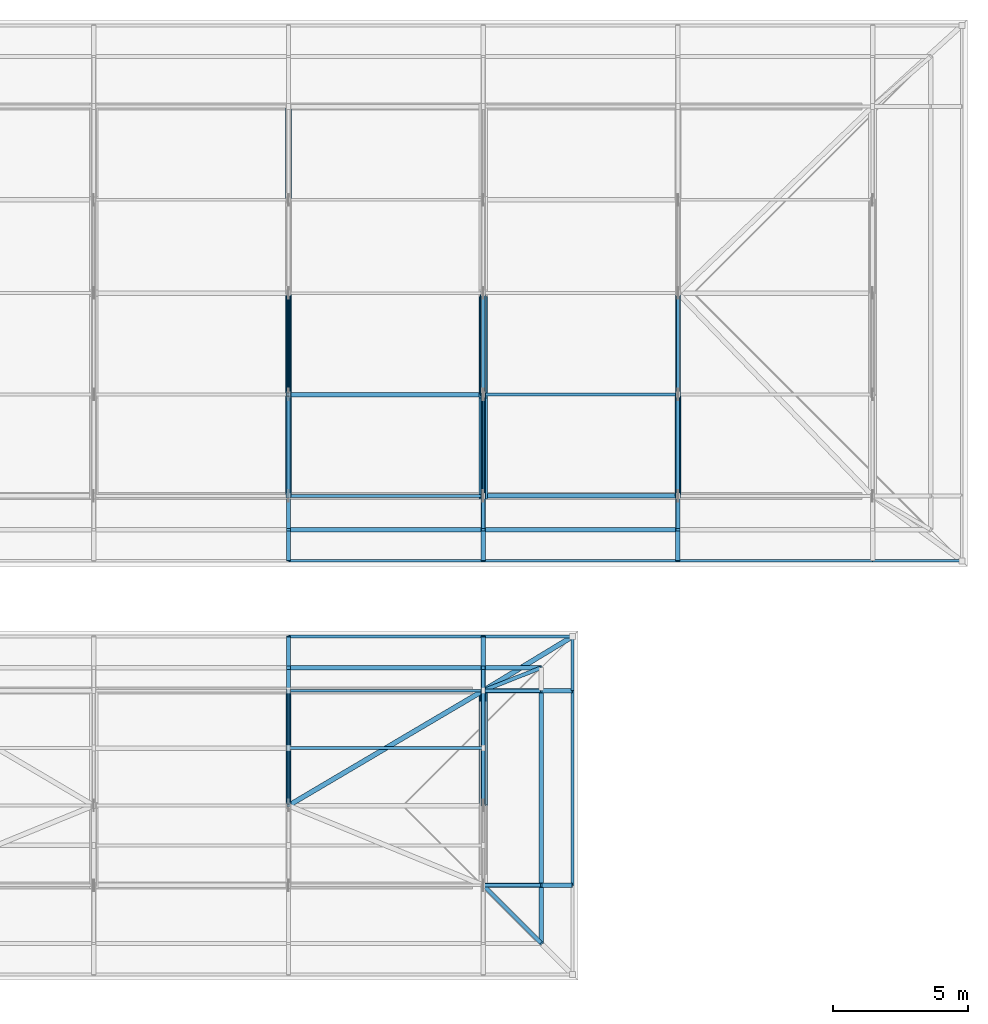
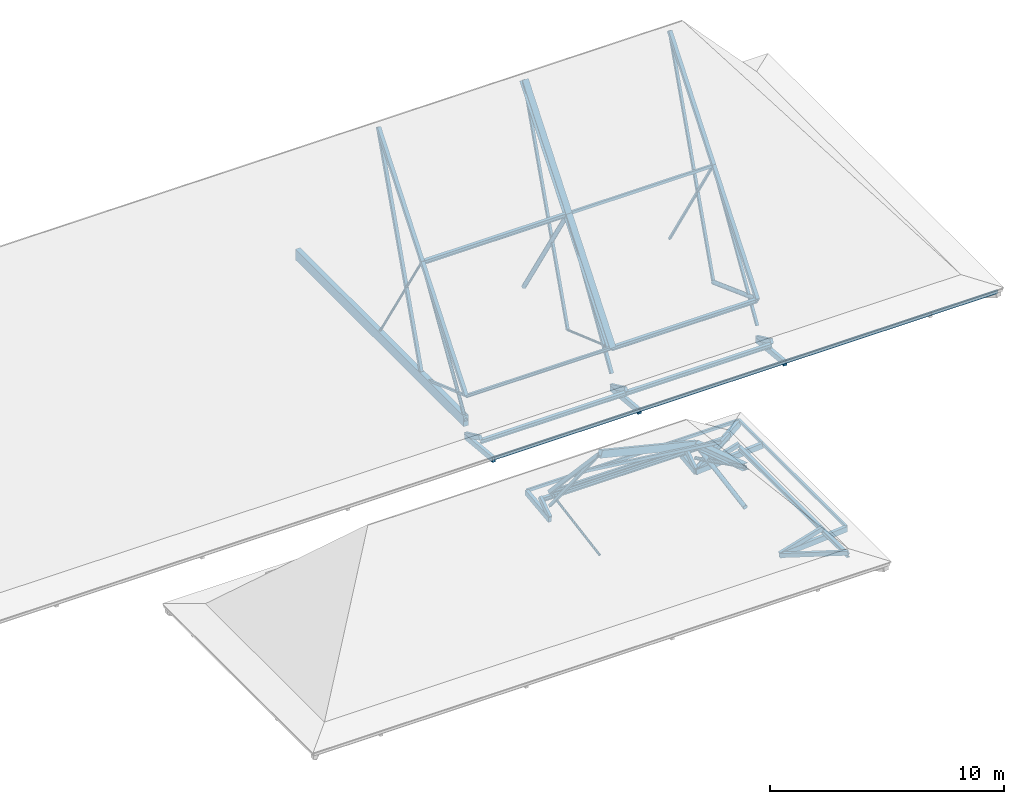
# One storey, part 4 of 12: 62 members, 1 beam.
"""IFC4 building model written with IfcOpenShell, lengths in metres."""

from ifc_helpers import new_model, si_unit, direction, frame, origin, origin_2d, place, context, subcontext, project, spatial, rectangle, hollow_rectangle, hollow_circle, i_section, extrude, material, material_profile, profile_set, type_object, element, save


model = new_model("IFC4")

# Units and contexts
model_context = context("Model", 3, precision=1e-05, world=origin(), true_north=direction((0.0, 1.0)))
body_context = subcontext(model_context, "Body", "Model", "MODEL_VIEW")
ifc_project = project(units=[si_unit("LENGTHUNIT", "METRE"), si_unit("AREAUNIT", "SQUARE_METRE"), si_unit("VOLUMEUNIT", "CUBIC_METRE"), si_unit("PLANEANGLEUNIT", "RADIAN"), si_unit("MASSUNIT", "GRAM", prefix="KILO")], contexts=[model_context])

# Site, building, storey
site_placement = place(None, origin())
site = spatial("IfcSite", under=ifc_project, at=site_placement, CompositionType="ELEMENT")
building_placement = place(site_placement, origin())
building = spatial("IfcBuilding", under=site, at=building_placement, Name="Steenspoor Specialist Clinic", CompositionType="ELEMENT")
storey_placement = place(building_placement, frame((0.0, 0.0, 25.800048828125)))
storey = spatial("IfcBuildingStorey", under=building, at=storey_placement, Name="RF", CompositionType="ELEMENT", Elevation=25.800048828125)

# Beam
ifc_material_1 = material(Name="Glulam GL28h", Category="wood")
ifc_material_profile_1 = material_profile(ifc_material_1, rectangle(XDim=0.239990234375, YDim=0.56005859375, at=origin_2d()), Name="GL28H-240X560")
ifc_profile_set_1 = profile_set([ifc_material_profile_1], Name="Glulam GL28h")
beam_type = type_object("IfcBeamType", Name="BM-GL-240X560", PredefinedType="BEAM", material=ifc_profile_set_1)
beam_placement = place(storey_placement, frame((88.39990234375, 93.949951171875, 0.300048828125), z_axis=(0.0, 1.0, 0.0), x_axis=(-1.0, 0.0, 0.0)))
element("IfcBeam", 1, at=beam_placement, inside=storey, type_object=beam_type, Name="ROOF TRUSS Bottom Tie Chord V4 5", PredefinedType="BEAM", context=body_context, shape_type="SweptSolid", body=[
    extrude(rectangle(XDim=0.239990234375, YDim=0.56005859375, at=origin_2d()), origin(), (0.0, 0.0, 1.0), 14.400146484375),
])

# Members
ifc_material_2 = material(Name="Steel A500 Grade C", Category="steel")
ifc_material_profile_2 = material_profile(ifc_material_2, hollow_circle(Radius=0.084228515625, WallThickness=0.007080078125, at=origin_2d()), Name="CHS168X7.1")
ifc_profile_set_2 = profile_set([ifc_material_profile_2], Name="Steel A500 Grade C")
member_type_1 = type_object("IfcMemberType", Name="MEM-BRACE-CHS168", PredefinedType="BRACE", material=ifc_profile_set_2)
member_1_placement = place(storey_placement, frame((88.39990234375, 93.949951171875, 0.300048828125), z_axis=(0.0, 0.526436025049, 0.850214744362), x_axis=(-1.0, 0.0, 0.0)))
element("IfcMember", 2, at=member_1_placement, inside=storey, type_object=member_type_1, Name="ROOF TRUSS Web Brace V4 5.1", PredefinedType="BRACE", context=body_context, shape_type="SweptSolid", body=[
    extrude(hollow_circle(Radius=0.084228515625, WallThickness=0.007080078125, at=origin_2d()), origin(), (0.0, 0.0, 1.0), 7.123291015625),
])
member_2_placement = place(storey_placement, frame((95.60009765625, 82.5, 2.309814453125), z_axis=(0.0, 0.895412597519, -0.4452373302), x_axis=(-1.0, 0.0, 0.0)))
element("IfcMember", 3, at=member_2_placement, inside=storey, type_object=member_type_1, Name="ROOF TRUSS Web Brace V4S 4.2", PredefinedType="BRACE", context=body_context, shape_type="SweptSolid", body=[
    extrude(hollow_circle(Radius=0.084228515625, WallThickness=0.007080078125, at=origin_2d()), origin(), (0.0, 0.0, 1.0), 4.746337890625),
])
ifc_material_profile_3 = material_profile(ifc_material_2, hollow_rectangle(XDim=0.126953125, YDim=0.126953125, WallThickness=0.0087890625, at=origin_2d()), Name="HSS127X127X9.5")
ifc_profile_set_3 = profile_set([ifc_material_profile_3], Name="Steel A500 Grade C")
member_type_2 = type_object("IfcMemberType", Name="MEM-BRACE-H127A", PredefinedType="BRACE", material=ifc_profile_set_3)
member_3_placement = place(storey_placement, frame((95.60009765625, 97.699951171875, 0.25146484375), z_axis=(0.0, 0.327845017087, 0.944731519942), x_axis=(-1.0, 0.0, 0.0)))
element("IfcMember", 4, at=member_3_placement, inside=storey, type_object=member_type_2, Name="ROOF TRUSS Web Brace V4 6.2", PredefinedType="BRACE", context=body_context, shape_type="SweptSolid", body=[
    extrude(hollow_rectangle(XDim=0.126953125, YDim=0.126953125, WallThickness=0.0087890625, at=origin_2d()), origin(), (0.0, 0.0, 1.0), 11.438232421875),
])
member_4_placement = place(storey_placement, frame((102.800048828125, 93.949951171875, 0.228515625), z_axis=(0.0, 0.521972250556, 0.852962466729), x_axis=(-1.0, 0.0, 0.0)))
element("IfcMember", 5, at=member_4_placement, inside=storey, type_object=member_type_2, Name="ROOF TRUSS Web Brace V4 7.1", PredefinedType="BRACE", context=body_context, shape_type="SweptSolid", body=[
    extrude(hollow_rectangle(XDim=0.126953125, YDim=0.126953125, WallThickness=0.0087890625, at=origin_2d()), origin(), (0.0, 0.0, 1.0), 7.184326171875),
])
ifc_material_profile_4 = material_profile(ifc_material_2, hollow_rectangle(XDim=0.126953125, YDim=0.126953125, WallThickness=0.005859375, at=origin_2d()), Name="HSS127X127X6.4")
ifc_profile_set_4 = profile_set([ifc_material_profile_4], Name="Steel A500 Grade C")
member_type_3 = type_object("IfcMemberType", Name="MEM-BRACE-H127B", PredefinedType="BRACE", material=ifc_profile_set_4)
member_5_placement = place(storey_placement, frame((102.800048828125, 97.699951171875, 0.228515625), z_axis=(0.0, 0.326141184088, 0.945321071405), x_axis=(-1.0, 0.0, 0.0)))
element("IfcMember", 6, at=member_5_placement, inside=storey, type_object=member_type_3, Name="ROOF TRUSS Web Brace V4 7.2", PredefinedType="BRACE", context=body_context, shape_type="SweptSolid", body=[
    extrude(hollow_rectangle(XDim=0.126953125, YDim=0.126953125, WallThickness=0.005859375, at=origin_2d()), origin(), (0.0, 0.0, 1.0), 11.498046875),
])
member_6_placement = place(storey_placement, frame((88.39990234375, 82.5, 5.514404296875), z_axis=(0.0, 0.626607070326, -0.779335344648), x_axis=(-1.0, 0.0, 0.0)))
element("IfcMember", 7, at=member_6_placement, inside=storey, type_object=member_type_3, Name="ROOF TRUSS Web Brace V4S 3.2", PredefinedType="BRACE", context=body_context, shape_type="SweptSolid", body=[
    extrude(hollow_rectangle(XDim=0.126953125, YDim=0.126953125, WallThickness=0.005859375, at=origin_2d()), origin(), (0.0, 0.0, 1.0), 6.782470703125),
])
ifc_material_profile_5 = material_profile(ifc_material_2, hollow_rectangle(XDim=0.15234375, YDim=0.15234375, WallThickness=0.0087890625, at=origin_2d()), Name="HSS152X152X9.5")
ifc_profile_set_5 = profile_set([ifc_material_profile_5], Name="Steel A500 Grade C")
member_type_4 = type_object("IfcMemberType", Name="MEM-BRACE-H152", PredefinedType="BRACE", material=ifc_profile_set_5)
member_7_placement = place(storey_placement, frame((88.39990234375, 97.699951171875, 0.300048828125), z_axis=(0.0, 0.328069929372, 0.944653439861), x_axis=(-1.0, 0.0, 0.0)))
element("IfcMember", 8, at=member_7_placement, inside=storey, type_object=member_type_4, Name="ROOF TRUSS Web Brace V4 5.2", PredefinedType="BRACE", context=body_context, shape_type="SweptSolid", body=[
    extrude(hollow_rectangle(XDim=0.15234375, YDim=0.15234375, WallThickness=0.0087890625, at=origin_2d()), origin(), (0.0, 0.0, 1.0), 11.430419921875),
])
member_8_placement = place(storey_placement, frame((95.60009765625, 93.949951171875, 0.25146484375), z_axis=(0.0, 0.5259148786, 0.850537206986), x_axis=(-1.0, 0.0, 0.0)))
element("IfcMember", 9, at=member_8_placement, inside=storey, type_object=member_type_4, Name="ROOF TRUSS Web Brace V4 6.1", PredefinedType="BRACE", context=body_context, shape_type="SweptSolid", body=[
    extrude(hollow_rectangle(XDim=0.15234375, YDim=0.15234375, WallThickness=0.0087890625, at=origin_2d()), origin(), (0.0, 0.0, 1.0), 7.13037109375),
])
ifc_material_profile_6 = material_profile(ifc_material_2, hollow_rectangle(XDim=0.177734375, YDim=0.177734375, WallThickness=0.0087890625, at=origin_2d()), Name="HSS178X178X9.5")
ifc_profile_set_6 = profile_set([ifc_material_profile_6], Name="Steel A500 Grade C")
member_type_5 = type_object("IfcMemberType", Name="MEM-CHORD-H178", PredefinedType="CHORD", material=ifc_profile_set_6)
for number, where, z_axis, x_axis, name in (
    (10, (88.39990234375, 93.949951171875, 1.614990234375), (0.0, 0.620331511659, 0.784339732287), (-1.0, 0.0, 0.0), "ROOF TRUSS Top Chord V4 5.1"),
    (11, (88.39990234375, 97.699951171875, 6.3564453125), (0.0, 0.620331511659, 0.784339732287), (-1.0, 0.0, 0.0), "ROOF TRUSS Top Chord V4 5.2"),
    (12, (102.800048828125, 93.949951171875, 1.614990234375), (0.0, 0.620331511659, 0.784339732287), (-1.0, 0.0, 0.0), "ROOF TRUSS Top Chord V4 7.1"),
    (13, (102.800048828125, 97.699951171875, 6.3564453125), (0.0, 0.620331511659, 0.784339732287), (-1.0, 0.0, 0.0), "ROOF TRUSS Top Chord V4 7.2"),
):
    element("IfcMember", number, at=place(storey_placement, frame(where, z_axis=z_axis, x_axis=x_axis)), inside=storey, type_object=member_type_5, Name=name, PredefinedType="CHORD", context=body_context, shape_type="SweptSolid", body=[
        extrude(hollow_rectangle(XDim=0.177734375, YDim=0.177734375, WallThickness=0.0087890625, at=origin_2d()), origin(), (0.0, 0.0, 1.0), 6.045166015625),
    ])
member_9_placement = place(storey_placement, frame((88.39990234375, 82.5, 5.514404296875), z_axis=(0.0, 0.682385287054, -0.73099269491), x_axis=(-1.0, 0.0, 0.0)))
element("IfcMember", 14, at=member_9_placement, inside=storey, type_object=member_type_5, Name="ROOF TRUSS Top Chord V4S 3.2", PredefinedType="CHORD", context=body_context, shape_type="SweptSolid", body=[
    extrude(hollow_rectangle(XDim=0.177734375, YDim=0.177734375, WallThickness=0.0087890625, at=origin_2d()), origin(), (0.0, 0.0, 1.0), 6.228271484375),
])
ifc_material_3 = material(Name="Steel A992 Grade 50", Category="steel")
ifc_material_profile_7 = material_profile(ifc_material_3, i_section(OverallWidth=0.304931640625, OverallDepth=0.30810546875, WebThickness=0.010009765625, FlangeThickness=0.015380859375, at=origin_2d()), Name="W310X97")
ifc_profile_set_7 = profile_set([ifc_material_profile_7], Name="Steel A992 Grade 50")
member_type_6 = type_object("IfcMemberType", Name="MEM-CHORD-W310", PredefinedType="CHORD", material=ifc_profile_set_7)
for number, where, z_axis, x_axis, name in (
    (15, (95.60009765625, 93.949951171875, 1.57470703125), (0.0, 0.620331511659, 0.784339732287), (-1.0, 0.0, 0.0), "ROOF TRUSS Top Chord V4 6.1"),
    (16, (95.60009765625, 97.699951171875, 6.316162109375), (0.0, 0.620331511659, 0.784339732287), (-1.0, 0.0, 0.0), "ROOF TRUSS Top Chord V4 6.2"),
):
    element("IfcMember", number, at=place(storey_placement, frame(where, z_axis=z_axis, x_axis=x_axis)), inside=storey, type_object=member_type_6, Name=name, PredefinedType="CHORD", context=body_context, shape_type="SweptSolid", body=[
        extrude(i_section(OverallWidth=0.304931640625, OverallDepth=0.30810546875, WebThickness=0.010009765625, FlangeThickness=0.015380859375, at=origin_2d()), origin(), (0.0, 0.0, 1.0), 6.045166015625),
    ])
member_10_placement = place(storey_placement, frame((95.60009765625, 82.5, 2.309814453125), z_axis=(0.0, 0.950286750093, -0.311376127213), x_axis=(-1.0, 0.0, 0.0)))
element("IfcMember", 17, at=member_10_placement, inside=storey, type_object=member_type_6, Name="ROOF TRUSS Top Chord V4S 4.2", PredefinedType="CHORD", context=body_context, shape_type="SweptSolid", body=[
    extrude(i_section(OverallWidth=0.304931640625, OverallDepth=0.30810546875, WebThickness=0.010009765625, FlangeThickness=0.015380859375, at=origin_2d()), origin(), (0.0, 0.0, 1.0), 4.472412109375),
])
ifc_material_profile_8 = material_profile(ifc_material_2, hollow_rectangle(XDim=0.1015625, YDim=0.15234375, WallThickness=0.005859375, at=origin_2d()), Name="HSS152X102X6.4")
ifc_profile_set_8 = profile_set([ifc_material_profile_8], Name="Steel A500 Grade C")
member_type_7 = type_object("IfcMemberType", Name="MEM-PURLIN-H152", PredefinedType="PURLIN", material=ifc_profile_set_8)
member_11_placement = place(storey_placement, frame((88.39990234375, 91.550048828125, -0.195068359375), z_axis=(1.0, 0.0, 0.0), x_axis=(0.0, 1.0, 0.0)))
element("IfcMember", 18, at=member_11_placement, inside=storey, type_object=member_type_7, Name="ROOF TRUSS Eave Fascia 280", PredefinedType="PURLIN", context=body_context, shape_type="SweptSolid", body=[
    extrude(hollow_rectangle(XDim=0.1015625, YDim=0.15234375, WallThickness=0.005859375, at=origin_2d()), origin(), (0.0, 0.0, 1.0), 7.2001953125),
])
for number, where, z_axis, x_axis, name in (
    (19, (95.60009765625, 91.550048828125, -0.195068359375), (1.0, 0.0, 0.0), (0.0, 1.0, 0.0), "ROOF TRUSS Eave Fascia 281"),
    (20, (102.800048828125, 91.550048828125, -0.195068359375), (1.0, 0.0, 0.0), (0.0, 1.0, 0.0), "ROOF TRUSS Eave Fascia 282"),
):
    element("IfcMember", number, at=place(storey_placement, frame(where, z_axis=z_axis, x_axis=x_axis)), inside=storey, type_object=member_type_7, Name=name, PredefinedType="PURLIN", context=body_context, shape_type="SweptSolid", body=[
        extrude(hollow_rectangle(XDim=0.1015625, YDim=0.15234375, WallThickness=0.005859375, at=origin_2d()), origin(), (0.0, 0.0, 1.0), 7.199951171875),
    ])
member_12_placement = place(storey_placement, frame((110.0, 91.550048828125, -0.195068359375), z_axis=(1.0, 0.0, 0.0), x_axis=(0.0, 1.0, 0.0)))
element("IfcMember", 21, at=member_12_placement, inside=storey, type_object=member_type_7, Name="ROOF TRUSS Eave Fascia 283", PredefinedType="PURLIN", context=body_context, shape_type="SweptSolid", body=[
    extrude(hollow_rectangle(XDim=0.1015625, YDim=0.15234375, WallThickness=0.005859375, at=origin_2d()), origin(), (0.0, 0.0, 1.0), 3.300048828125),
])
member_13_placement = place(storey_placement, frame((95.60009765625, 97.699951171875, 6.33544921875), z_axis=(1.0, 0.0, 0.0), x_axis=(0.0, 1.0, 0.0)))
element("IfcMember", 22, at=member_13_placement, inside=storey, type_object=member_type_7, Name="ROOF TRUSS Purlin 349", PredefinedType="PURLIN", context=body_context, shape_type="SweptSolid", body=[
    extrude(hollow_rectangle(XDim=0.1015625, YDim=0.15234375, WallThickness=0.005859375, at=origin_2d()), origin(), (0.0, 0.0, 1.0), 7.199951171875),
])
member_14_placement = place(storey_placement, frame((88.39990234375, 88.75, -0.195068359375), z_axis=(1.0, 0.0, 0.0), x_axis=(0.0, 1.0, 0.0)))
element("IfcMember", 23, at=member_14_placement, inside=storey, type_object=member_type_7, Name="ROOF TRUSS Eave Fascia 370", PredefinedType="PURLIN", context=body_context, shape_type="SweptSolid", body=[
    extrude(hollow_rectangle(XDim=0.1015625, YDim=0.15234375, WallThickness=0.005859375, at=origin_2d()), origin(), (0.0, 0.0, 1.0), 7.2001953125),
])
member_15_placement = place(storey_placement, frame((95.60009765625, 88.75, -0.195068359375), z_axis=(1.0, 0.0, 0.0), x_axis=(0.0, 1.0, 0.0)))
element("IfcMember", 24, at=member_15_placement, inside=storey, type_object=member_type_7, Name="ROOF TRUSS Eave Fascia 371", PredefinedType="PURLIN", context=body_context, shape_type="SweptSolid", body=[
    extrude(hollow_rectangle(XDim=0.1015625, YDim=0.15234375, WallThickness=0.005859375, at=origin_2d()), origin(), (0.0, 0.0, 1.0), 3.2998046875),
])
member_16_placement = place(storey_placement, frame((98.89990234375, 79.550048828125, -0.195068359375), z_axis=(0.0, 1.0, 0.0), x_axis=(-1.0, 0.0, 0.0)))
element("IfcMember", 25, at=member_16_placement, inside=storey, type_object=member_type_7, Name="ROOF TRUSS Eave Fascia 376", PredefinedType="PURLIN", context=body_context, shape_type="SweptSolid", body=[
    extrude(hollow_rectangle(XDim=0.1015625, YDim=0.15234375, WallThickness=0.005859375, at=origin_2d()), origin(), (0.0, 0.0, 1.0), 7.199951171875),
])
member_17_placement = place(storey_placement, frame((98.89990234375, 86.75, -0.195068359375), z_axis=(0.0, 1.0, 0.0), x_axis=(-1.0, 0.0, 0.0)))
element("IfcMember", 26, at=member_17_placement, inside=storey, type_object=member_type_7, Name="ROOF TRUSS Eave Fascia 377", PredefinedType="PURLIN", context=body_context, shape_type="SweptSolid", body=[
    extrude(hollow_rectangle(XDim=0.1015625, YDim=0.15234375, WallThickness=0.005859375, at=origin_2d()), origin(), (0.0, 0.0, 1.0), 2.0),
])
member_18_placement = place(storey_placement, frame((88.39990234375, 84.625, 3.22265625), z_axis=(0.992550882415, 0.0, -0.121830808163), x_axis=(0.0, 1.0, 0.0)))
element("IfcMember", 27, at=member_18_placement, inside=storey, type_object=member_type_7, Name="ROOF TRUSS Purlin 407", PredefinedType="PURLIN", context=body_context, shape_type="SweptSolid", body=[
    extrude(hollow_rectangle(XDim=0.1015625, YDim=0.15234375, WallThickness=0.005859375, at=origin_2d()), origin(), (0.0, 0.0, 1.0), 7.254150390625),
])
ifc_material_profile_9 = material_profile(ifc_material_3, i_section(OverallWidth=0.10205078125, OverallDepth=0.159912109375, WebThickness=0.006591796875, FlangeThickness=0.01025390625, at=origin_2d()), Name="W150X24")
ifc_profile_set_9 = profile_set([ifc_material_profile_9], Name="Steel A992 Grade 50")
member_type_8 = type_object("IfcMemberType", Name="MEM-PURLIN-W150", PredefinedType="PURLIN", material=ifc_profile_set_9)
for number, where, z_axis, x_axis, name in (
    (28, (88.39990234375, 93.949951171875, 1.59033203125), (1.0, 0.0, 0.0), (0.0, 1.0, 0.0), "ROOF TRUSS Purlin 343"),
    (29, (88.39990234375, 86.75, 0.942138671875), (1.0, 0.0, 0.0), (0.0, 1.0, 0.0), "ROOF TRUSS Purlin 408"),
):
    element("IfcMember", number, at=place(storey_placement, frame(where, z_axis=z_axis, x_axis=x_axis)), inside=storey, type_object=member_type_8, Name=name, PredefinedType="PURLIN", context=body_context, shape_type="SweptSolid", body=[
        extrude(i_section(OverallWidth=0.10205078125, OverallDepth=0.159912109375, WebThickness=0.006591796875, FlangeThickness=0.01025390625, at=origin_2d()), origin(), (0.0, 0.0, 1.0), 7.2001953125),
    ])
ifc_material_profile_10 = material_profile(ifc_material_3, i_section(OverallWidth=0.1650390625, OverallDepth=0.200927734375, WebThickness=0.006103515625, FlangeThickness=0.01025390625, at=origin_2d()), Name="W200X36")
ifc_profile_set_10 = profile_set([ifc_material_profile_10], Name="Steel A992 Grade 50")
member_type_9 = type_object("IfcMemberType", Name="MEM-PURLIN-W200", PredefinedType="PURLIN", material=ifc_profile_set_10)
member_19_placement = place(storey_placement, frame((88.39990234375, 92.699951171875, -0.0087890625), z_axis=(1.0, 0.0, 0.0), x_axis=(0.0, 1.0, 0.0)))
element("IfcMember", 30, at=member_19_placement, inside=storey, type_object=member_type_9, Name="ROOF TRUSS Knuckle Purlin 309", PredefinedType="PURLIN", context=body_context, shape_type="SweptSolid", body=[
    extrude(i_section(OverallWidth=0.1650390625, OverallDepth=0.200927734375, WebThickness=0.006103515625, FlangeThickness=0.01025390625, at=origin_2d()), origin(), (0.0, 0.0, 1.0), 7.2001953125),
])
member_20_placement = place(storey_placement, frame((95.60009765625, 92.699951171875, -0.0087890625), z_axis=(1.0, 0.0, 0.0), x_axis=(0.0, 1.0, 0.0)))
element("IfcMember", 31, at=member_20_placement, inside=storey, type_object=member_type_9, Name="ROOF TRUSS Knuckle Purlin 311", PredefinedType="PURLIN", context=body_context, shape_type="SweptSolid", body=[
    extrude(i_section(OverallWidth=0.1650390625, OverallDepth=0.200927734375, WebThickness=0.006103515625, FlangeThickness=0.01025390625, at=origin_2d()), origin(), (0.0, 0.0, 1.0), 7.199951171875),
])
member_21_placement = place(storey_placement, frame((88.39990234375, 97.699951171875, 6.31103515625), z_axis=(1.0, 0.0, 0.0), x_axis=(0.0, 1.0, 0.0)))
element("IfcMember", 32, at=member_21_placement, inside=storey, type_object=member_type_9, Name="ROOF TRUSS Purlin 344", PredefinedType="PURLIN", context=body_context, shape_type="SweptSolid", body=[
    extrude(i_section(OverallWidth=0.1650390625, OverallDepth=0.200927734375, WebThickness=0.006103515625, FlangeThickness=0.01025390625, at=origin_2d()), origin(), (0.0, 0.0, 1.0), 7.2001953125),
])
member_22_placement = place(storey_placement, frame((95.60009765625, 93.949951171875, 1.56982421875), z_axis=(1.0, 0.0, 0.0), x_axis=(0.0, 1.0, 0.0)))
element("IfcMember", 33, at=member_22_placement, inside=storey, type_object=member_type_9, Name="ROOF TRUSS Purlin 348", PredefinedType="PURLIN", context=body_context, shape_type="SweptSolid", body=[
    extrude(i_section(OverallWidth=0.1650390625, OverallDepth=0.200927734375, WebThickness=0.006103515625, FlangeThickness=0.01025390625, at=origin_2d()), origin(), (0.0, 0.0, 1.0), 7.199951171875),
])
member_23_placement = place(storey_placement, frame((88.39990234375, 87.60009765625, 0.01318359375), z_axis=(1.0, 0.0, 0.0), x_axis=(0.0, 1.0, 0.0)))
element("IfcMember", 34, at=member_23_placement, inside=storey, type_object=member_type_9, Name="ROOF TRUSS Knuckle Purlin 385", PredefinedType="PURLIN", context=body_context, shape_type="SweptSolid", body=[
    extrude(i_section(OverallWidth=0.1650390625, OverallDepth=0.200927734375, WebThickness=0.006103515625, FlangeThickness=0.01025390625, at=origin_2d()), origin(), (0.0, 0.0, 1.0), 7.2001953125),
])
member_24_placement = place(storey_placement, frame((95.60009765625, 87.60009765625, 0.01318359375), z_axis=(1.0, 0.0, 0.0), x_axis=(0.0, 1.0, 0.0)))
element("IfcMember", 35, at=member_24_placement, inside=storey, type_object=member_type_9, Name="ROOF TRUSS Knuckle Purlin 387", PredefinedType="PURLIN", context=body_context, shape_type="SweptSolid", body=[
    extrude(i_section(OverallWidth=0.1650390625, OverallDepth=0.200927734375, WebThickness=0.006103515625, FlangeThickness=0.01025390625, at=origin_2d()), origin(), (0.0, 0.0, 1.0), 2.14990234375),
])
member_25_placement = place(storey_placement, frame((97.75, 77.39990234375, 0.01318359375), z_axis=(0.0, 1.0, 0.0), x_axis=(-1.0, 0.0, 0.0)))
element("IfcMember", 36, at=member_25_placement, inside=storey, type_object=member_type_9, Name="ROOF TRUSS Knuckle Purlin 391", PredefinedType="PURLIN", context=body_context, shape_type="SweptSolid", body=[
    extrude(i_section(OverallWidth=0.1650390625, OverallDepth=0.200927734375, WebThickness=0.006103515625, FlangeThickness=0.01025390625, at=origin_2d()), origin(), (0.0, 0.0, 1.0), 2.150146484375),
])
member_26_placement = place(storey_placement, frame((97.75, 79.550048828125, 0.01318359375), z_axis=(0.0, 1.0, 0.0), x_axis=(-1.0, 0.0, 0.0)))
element("IfcMember", 37, at=member_26_placement, inside=storey, type_object=member_type_9, Name="ROOF TRUSS Knuckle Purlin 392", PredefinedType="PURLIN", context=body_context, shape_type="SweptSolid", body=[
    extrude(i_section(OverallWidth=0.1650390625, OverallDepth=0.200927734375, WebThickness=0.006103515625, FlangeThickness=0.01025390625, at=origin_2d()), origin(), (0.0, 0.0, 1.0), 7.199951171875),
])
ifc_material_profile_11 = material_profile(ifc_material_1, rectangle(XDim=0.139892578125, YDim=0.219970703125, at=origin_2d()), Name="GL28H-140X220")
ifc_profile_set_11 = profile_set([ifc_material_profile_11], Name="Glulam GL28h")
member_type_10 = type_object("IfcMemberType", Name="MEM-RAFTER-GL220", PredefinedType="RAFTER", material=ifc_profile_set_11)
for number, where, z_axis, x_axis, name in (
    (38, (88.39990234375, 93.949951171875, -0.40869140625), (0.0, -0.905662768709, 0.423998761054), (1.0, 0.0, 0.0), "ROOF TRUSS Knuckle Rafter V4 196"),
    (39, (95.60009765625, 93.949951171875, -0.40869140625), (0.0, -0.905662768709, 0.423998761054), (1.0, 0.0, 0.0), "ROOF TRUSS Knuckle Rafter V4 200"),
    (40, (102.800048828125, 93.949951171875, -0.40869140625), (0.0, -0.905662768709, 0.423998761054), (1.0, 0.0, 0.0), "ROOF TRUSS Knuckle Rafter V4 204"),
):
    element("IfcMember", number, at=place(storey_placement, frame(where, z_axis=z_axis, x_axis=x_axis)), inside=storey, type_object=member_type_10, Name=name, PredefinedType="RAFTER", context=body_context, shape_type="SweptSolid", body=[
        extrude(rectangle(XDim=0.139892578125, YDim=0.219970703125, at=origin_2d()), origin(), (0.0, 0.0, 1.0), 1.380126953125),
    ])
for number, where, z_axis, x_axis, name in (
    (41, (88.39990234375, 86.75, -0.38671875), (0.0, 0.833630701629, 0.552322236834), (-1.0, 0.0, 0.0), "ROOF TRUSS Knuckle Rafter V4S 238"),
    (42, (95.60009765625, 86.75, -0.38671875), (0.0, 0.833630701629, 0.552322236834), (-1.0, 0.0, 0.0), "ROOF TRUSS Knuckle Rafter V4S 242"),
):
    element("IfcMember", number, at=place(storey_placement, frame(where, z_axis=z_axis, x_axis=x_axis)), inside=storey, type_object=member_type_10, Name=name, PredefinedType="RAFTER", context=body_context, shape_type="SweptSolid", body=[
        extrude(rectangle(XDim=0.139892578125, YDim=0.219970703125, at=origin_2d()), origin(), (0.0, 0.0, 1.0), 1.019775390625),
    ])
for number, where, z_axis, x_axis, name in (
    (43, (95.60009765625, 79.550048828125, -0.459716796875), (0.958892532432, 0.0, 0.283769468489), (0.0, 1.0, 0.0), "ROOF TRUSS Knuckle Rafter V4S 248"),
    (44, (95.60009765625, 86.75, -0.459716796875), (0.958892532432, 0.0, 0.283769468489), (0.0, 1.0, 0.0), "ROOF TRUSS Knuckle Rafter V4S 250"),
):
    element("IfcMember", number, at=place(storey_placement, frame(where, z_axis=z_axis, x_axis=x_axis)), inside=storey, type_object=member_type_10, Name=name, PredefinedType="RAFTER", context=body_context, shape_type="SweptSolid", body=[
        extrude(rectangle(XDim=0.139892578125, YDim=0.219970703125, at=origin_2d()), origin(), (0.0, 0.0, 1.0), 2.2421875),
    ])
member_27_placement = place(storey_placement, frame((95.60009765625, 79.550048828125, -0.5), z_axis=(0.690189561111, -0.690267938304, 0.217183201662), x_axis=(0.707146926915, 0.707066633179, 0.0)))
element("IfcMember", 45, at=member_27_placement, inside=storey, type_object=member_type_10, Name="ROOF TRUSS Corner Knuckle Rafter V4S 256", PredefinedType="RAFTER", context=body_context, shape_type="SweptSolid", body=[
    extrude(rectangle(XDim=0.139892578125, YDim=0.219970703125, at=origin_2d()), origin(), (0.0, 0.0, 1.0), 3.114990234375),
])
member_28_placement = place(storey_placement, frame((95.60009765625, 86.75, -0.44921875), z_axis=(0.897642259966, 0.354938717829, 0.261260176277), x_axis=(-0.367709862795, 0.929940566275, 0.0)))
element("IfcMember", 46, at=member_28_placement, inside=storey, type_object=member_type_10, Name="ROOF TRUSS Corner Knuckle Rafter V4S 258", PredefinedType="RAFTER", context=body_context, shape_type="SweptSolid", body=[
    extrude(rectangle(XDim=0.139892578125, YDim=0.219970703125, at=origin_2d()), origin(), (0.0, 0.0, 1.0), 2.39501953125),
])
ifc_material_profile_12 = material_profile(ifc_material_1, rectangle(XDim=0.159912109375, YDim=0.280029296875, at=origin_2d()), Name="GL28H-160X280")
ifc_profile_set_12 = profile_set([ifc_material_profile_12], Name="Glulam GL28h")
member_type_11 = type_object("IfcMemberType", Name="MEM-RAFTER-GL280", PredefinedType="RAFTER", material=ifc_profile_set_12)
for number, where, z_axis, x_axis, name in (
    (47, (88.39990234375, 93.949951171875, -0.5), (0.0, -0.99532367136, 0.096596010425), (1.0, 0.0, 0.0), "ROOF TRUSS Flared Eave Glulam Outrigger V4 195"),
    (48, (95.60009765625, 93.949951171875, -0.5), (0.0, -0.99532367136, 0.096596010425), (1.0, 0.0, 0.0), "ROOF TRUSS Flared Eave Glulam Outrigger V4 199"),
    (49, (102.800048828125, 93.949951171875, -0.5), (0.0, -0.99532367136, 0.096596010425), (1.0, 0.0, 0.0), "ROOF TRUSS Flared Eave Glulam Outrigger V4 203"),
):
    element("IfcMember", number, at=place(storey_placement, frame(where, z_axis=z_axis, x_axis=x_axis)), inside=storey, type_object=member_type_11, Name=name, PredefinedType="RAFTER", context=body_context, shape_type="SweptSolid", body=[
        extrude(rectangle(XDim=0.159912109375, YDim=0.280029296875, at=origin_2d()), origin(), (0.0, 0.0, 1.0), 2.4111328125),
    ])
for number, where, z_axis, x_axis, name in (
    (50, (88.39990234375, 86.75, -0.5), (0.0, 0.993287307812, 0.115673351032), (-1.0, 0.0, 0.0), "ROOF TRUSS Flared Eave Glulam Outrigger V4S 237"),
    (51, (95.60009765625, 86.75, -0.5), (0.0, 0.993287307812, 0.115673351032), (-1.0, 0.0, 0.0), "ROOF TRUSS Flared Eave Glulam Outrigger V4S 241"),
):
    element("IfcMember", number, at=place(storey_placement, frame(where, z_axis=z_axis, x_axis=x_axis)), inside=storey, type_object=member_type_11, Name=name, PredefinedType="RAFTER", context=body_context, shape_type="SweptSolid", body=[
        extrude(rectangle(XDim=0.159912109375, YDim=0.280029296875, at=origin_2d()), origin(), (0.0, 0.0, 1.0), 2.013427734375),
    ])
for number, where, z_axis, x_axis, name in (
    (52, (95.60009765625, 79.550048828125, -0.5), (0.997518288162, 0.0, 0.070407846027), (0.0, 1.0, 0.0), "ROOF TRUSS Flared Eave Glulam Outrigger V4S 247"),
    (53, (95.60009765625, 86.75, -0.5), (0.997518288162, 0.0, 0.070407846027), (0.0, 1.0, 0.0), "ROOF TRUSS Flared Eave Glulam Outrigger V4S 249"),
):
    element("IfcMember", number, at=place(storey_placement, frame(where, z_axis=z_axis, x_axis=x_axis)), inside=storey, type_object=member_type_11, Name=name, PredefinedType="RAFTER", context=body_context, shape_type="SweptSolid", body=[
        extrude(rectangle(XDim=0.159912109375, YDim=0.280029296875, at=origin_2d()), origin(), (0.0, 0.0, 1.0), 3.30810546875),
    ])
ifc_material_profile_13 = material_profile(ifc_material_1, rectangle(XDim=0.179931640625, YDim=0.360107421875, at=origin_2d()), Name="GL28H-180X360")
ifc_profile_set_13 = profile_set([ifc_material_profile_13], Name="Glulam GL28h")
member_type_12 = type_object("IfcMemberType", Name="MEM-RAFTER-GL360", PredefinedType="RAFTER", material=ifc_profile_set_13)
member_29_placement = place(storey_placement, frame((95.60009765625, 86.75, -0.5), z_axis=(0.854131328066, 0.517685989902, 0.049607361093), x_axis=(-0.518324152189, 0.855184233518, 0.0)))
element("IfcMember", 54, at=member_29_placement, inside=storey, type_object=member_type_12, Name="ROOF TRUSS Corner Hip Outrigger V4S 257", PredefinedType="RAFTER", context=body_context, shape_type="SweptSolid", body=[
    extrude(rectangle(XDim=0.179931640625, YDim=0.360107421875, at=origin_2d()), origin(), (0.0, 0.0, 1.0), 3.86328125),
])
member_30_placement = place(storey_placement, frame((95.60009765625, 86.75, 0.917236328125), z_axis=(-0.754622767058, -0.445424967074, 0.481810209674), x_axis=(0.508316069295, -0.86117058339, 0.0)))
element("IfcMember", 55, at=member_30_placement, inside=storey, type_object=member_type_12, Name="ROOF TRUSS Hip Rafter V4S 412", PredefinedType="RAFTER", context=body_context, shape_type="SweptSolid", body=[
    extrude(rectangle(XDim=0.179931640625, YDim=0.360107421875, at=origin_2d()), origin(), (0.0, 0.0, 1.0), 9.54150390625),
])
ifc_material_profile_14 = material_profile(ifc_material_2, hollow_circle(Radius=0.05712890625, WallThickness=0.006103515625, at=origin_2d()), Name="CHS114X6.0")
ifc_profile_set_14 = profile_set([ifc_material_profile_14], Name="Steel A500 Grade C")
member_type_13 = type_object("IfcMemberType", Name="MEM-STRUT-CHS114", PredefinedType="STRUT", material=ifc_profile_set_14)
member_31_placement = place(storey_placement, frame((88.39990234375, 97.699951171875, 6.3564453125), z_axis=(0.0, 0.526436025049, -0.850214744362), x_axis=(-1.0, 0.0, 0.0)))
element("IfcMember", 56, at=member_31_placement, inside=storey, type_object=member_type_13, Name="ROOF TRUSS Web Strut V4 5.2", PredefinedType="STRUT", context=body_context, shape_type="SweptSolid", body=[
    extrude(hollow_circle(Radius=0.05712890625, WallThickness=0.006103515625, at=origin_2d()), origin(), (0.0, 0.0, 1.0), 7.123291015625),
])
member_32_placement = place(storey_placement, frame((95.60009765625, 93.949951171875, 1.57470703125), z_axis=(0.0, 0.943012999977, -0.332755889315), x_axis=(-1.0, 0.0, 0.0)))
element("IfcMember", 57, at=member_32_placement, inside=storey, type_object=member_type_13, Name="ROOF TRUSS Web Strut V4 6.1", PredefinedType="STRUT", context=body_context, shape_type="SweptSolid", body=[
    extrude(hollow_circle(Radius=0.05712890625, WallThickness=0.006103515625, at=origin_2d()), origin(), (0.0, 0.0, 1.0), 3.9765625),
])
member_33_placement = place(storey_placement, frame((88.39990234375, 82.5, 0.228515625), z_axis=(0.0, 0.985444750226, 0.169996012461), x_axis=(-1.0, 0.0, 0.0)))
element("IfcMember", 58, at=member_33_placement, inside=storey, type_object=member_type_13, Name="ROOF TRUSS Web Strut V4S 3.2", PredefinedType="STRUT", context=body_context, shape_type="SweptSolid", body=[
    extrude(hollow_circle(Radius=0.05712890625, WallThickness=0.006103515625, at=origin_2d()), origin(), (0.0, 0.0, 1.0), 4.312744140625),
])
ifc_material_profile_15 = material_profile(ifc_material_2, hollow_circle(Radius=0.109619140625, WallThickness=0.00830078125, at=origin_2d()), Name="CHS219X8.2")
ifc_profile_set_15 = profile_set([ifc_material_profile_15], Name="Steel A500 Grade C")
member_type_14 = type_object("IfcMemberType", Name="MEM-STRUT-CHS219", PredefinedType="STRUT", material=ifc_profile_set_15)
member_34_placement = place(storey_placement, frame((95.60009765625, 97.699951171875, 6.316162109375), z_axis=(0.0, 0.5259148786, -0.850537206986), x_axis=(-1.0, 0.0, 0.0)))
element("IfcMember", 59, at=member_34_placement, inside=storey, type_object=member_type_14, Name="ROOF TRUSS Web Strut V4 6.2", PredefinedType="STRUT", context=body_context, shape_type="SweptSolid", body=[
    extrude(hollow_circle(Radius=0.109619140625, WallThickness=0.00830078125, at=origin_2d()), origin(), (0.0, 0.0, 1.0), 7.13037109375),
])
member_35_placement = place(storey_placement, frame((102.800048828125, 93.949951171875, 1.614990234375), z_axis=(0.0, 0.937945282595, -0.346783285147), x_axis=(-1.0, 0.0, 0.0)))
element("IfcMember", 60, at=member_35_placement, inside=storey, type_object=member_type_14, Name="ROOF TRUSS Web Strut V4 7.1", PredefinedType="STRUT", context=body_context, shape_type="SweptSolid", body=[
    extrude(hollow_circle(Radius=0.109619140625, WallThickness=0.00830078125, at=origin_2d()), origin(), (0.0, 0.0, 1.0), 3.998046875),
])
member_36_placement = place(storey_placement, frame((95.60009765625, 82.5, 0.196533203125), z_axis=(0.0, 0.985924636332, 0.16719034504), x_axis=(-1.0, 0.0, 0.0)))
element("IfcMember", 61, at=member_36_placement, inside=storey, type_object=member_type_14, Name="ROOF TRUSS Web Strut V4S 4.2", PredefinedType="STRUT", context=body_context, shape_type="SweptSolid", body=[
    extrude(hollow_circle(Radius=0.109619140625, WallThickness=0.00830078125, at=origin_2d()), origin(), (0.0, 0.0, 1.0), 4.310791015625),
])
ifc_material_profile_16 = material_profile(ifc_material_2, hollow_rectangle(XDim=0.1015625, YDim=0.1015625, WallThickness=0.005859375, at=origin_2d()), Name="HSS102X102X6.4")
ifc_profile_set_16 = profile_set([ifc_material_profile_16], Name="Steel A500 Grade C")
member_type_15 = type_object("IfcMemberType", Name="MEM-STRUT-H102", PredefinedType="STRUT", material=ifc_profile_set_16)
member_37_placement = place(storey_placement, frame((88.39990234375, 93.949951171875, 1.614990234375), z_axis=(0.0, 0.943666635803, -0.33089768883), x_axis=(-1.0, 0.0, 0.0)))
element("IfcMember", 62, at=member_37_placement, inside=storey, type_object=member_type_15, Name="ROOF TRUSS Web Strut V4 5.1", PredefinedType="STRUT", context=body_context, shape_type="SweptSolid", body=[
    extrude(hollow_rectangle(XDim=0.1015625, YDim=0.1015625, WallThickness=0.005859375, at=origin_2d()), origin(), (0.0, 0.0, 1.0), 3.973876953125),
])
member_38_placement = place(storey_placement, frame((102.800048828125, 97.699951171875, 6.3564453125), z_axis=(0.0, 0.521972250556, -0.852962466729), x_axis=(-1.0, 0.0, 0.0)))
element("IfcMember", 63, at=member_38_placement, inside=storey, type_object=member_type_15, Name="ROOF TRUSS Web Strut V4 7.2", PredefinedType="STRUT", context=body_context, shape_type="SweptSolid", body=[
    extrude(hollow_rectangle(XDim=0.1015625, YDim=0.1015625, WallThickness=0.005859375, at=origin_2d()), origin(), (0.0, 0.0, 1.0), 7.184326171875),
])

save(model, "model.ifc")
